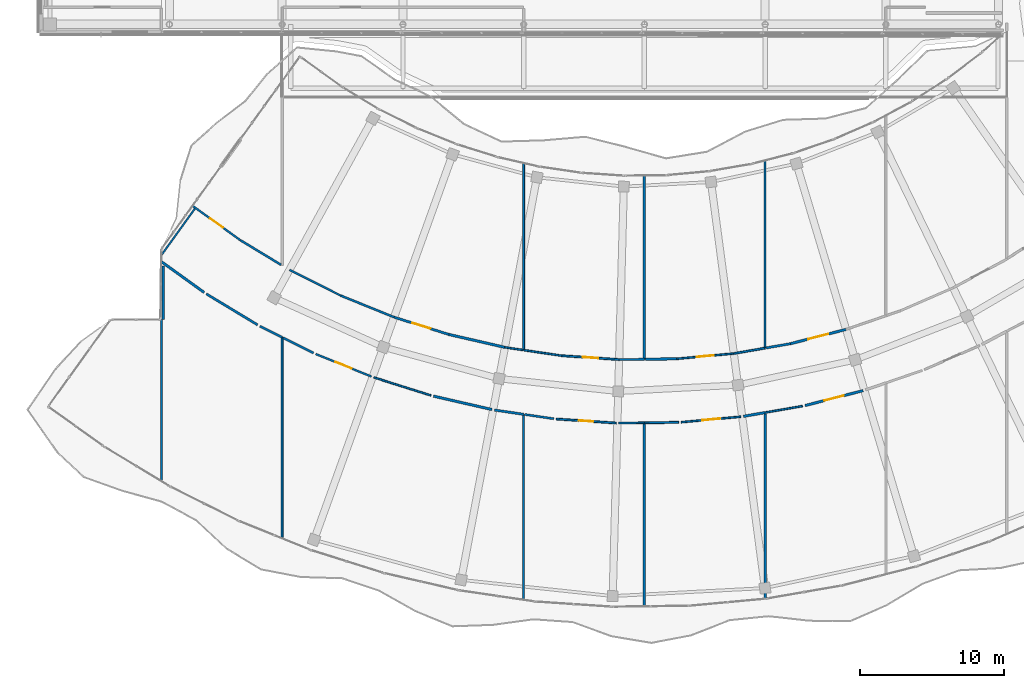
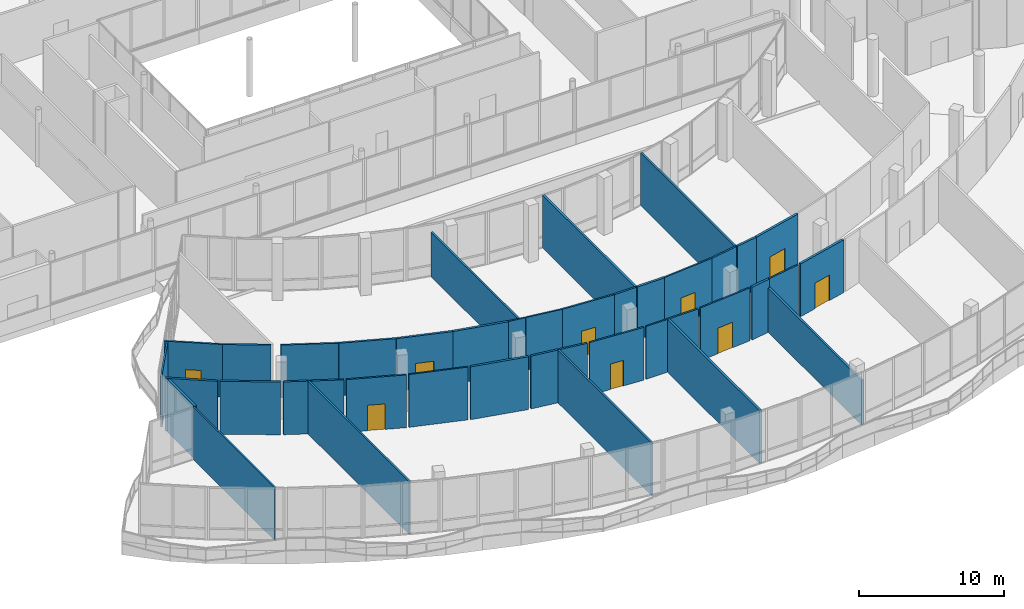
# One storey, part 138 of 168: 41 walls, 9 doors, 9 openings.
"""IFC4 building model written with IfcOpenShell, lengths in metres."""

from ifc_helpers import new_model, si_unit, direction, frame, frame_2d, origin, place, context, subcontext, project, spatial, rectangle, extrude, material, layer, layer_set, type_object, element, fill, save


model = new_model("IFC4")

# Units and contexts
model_context = context("Model", 3, precision=1e-05, world=origin(), true_north=direction((0.0, 1.0)))
body_context = subcontext(model_context, "Body", "Model", "MODEL_VIEW")
ifc_project = project(units=[si_unit("LENGTHUNIT", "METRE"), si_unit("AREAUNIT", "SQUARE_METRE"), si_unit("VOLUMEUNIT", "CUBIC_METRE"), si_unit("PLANEANGLEUNIT", "RADIAN"), si_unit("MASSUNIT", "GRAM", prefix="KILO")], contexts=[model_context])

# Site, building, storey
site_placement = place(None, origin())
site = spatial("IfcSite", under=ifc_project, at=site_placement, CompositionType="ELEMENT")
building_placement = place(site_placement, origin())
building = spatial("IfcBuilding", under=site, at=building_placement, Name="Selatvlak General Hospital", CompositionType="ELEMENT")
storey_placement = place(building_placement, frame((0.0, 0.0, 5.39990234375)))
storey = spatial("IfcBuildingStorey", under=building, at=storey_placement, Name="L01", CompositionType="ELEMENT", Elevation=5.39990234375)

# Walls
ifc_material_1 = material(Name="Acoustic gypsum stud partition")
ifc_layer_1 = layer(ifc_material_1, 0.179931640625, Name="Acoustic gypsum stud partition")
ifc_layer_set_1 = layer_set([ifc_layer_1], Name="Acoustic gypsum stud partition")
wall_type_1 = type_object("IfcWallType", Name="WALL-PT-01", PredefinedType="PARTITIONING", material=ifc_layer_set_1)
wall_1_placement = place(storey_placement, frame((22.93994140625, 32.02490234375, 0.0), z_axis=(0.0, 0.0, 1.0), x_axis=(0.0, 1.0, 0.0)))
element("IfcWall", 1, at=wall_1_placement, inside=storey, type_object=wall_type_1, Name="L01 clinical partition PT-L01-0715", PredefinedType="PARTITIONING", context=body_context, shape_type="SweptSolid", body=[
    extrude(rectangle(XDim=3.72119140625, YDim=0.179931640625, at=frame_2d((1.860595703125, 0.0))), origin(), (0.0, 0.0, 1.0), 4.445068359375),
])
wall_2_placement = place(storey_placement, frame((22.81103515625, 36.031005859375, 0.0), z_axis=(0.0, 0.0, 1.0), x_axis=(0.811746017574, -0.584010618869, 0.0)))
element("IfcWall", 2, at=wall_2_placement, inside=storey, type_object=wall_type_1, Name="L01 clinical partition PT-L01-0720", PredefinedType="PARTITIONING", context=body_context, shape_type="SweptSolid", body=[
    extrude(rectangle(XDim=3.65234375, YDim=0.179931640625, at=frame_2d((1.826171875, 0.0))), origin(), (0.0, 0.0, 1.0), 4.445068359375),
])
wall_3_placement = place(storey_placement, frame((41.72509765625, 26.68701171875, 0.0), z_axis=(0.0, 0.0, 1.0), x_axis=(0.974584054813, -0.224022141996, 0.0)))
element("IfcWall", 3, at=wall_3_placement, inside=storey, type_object=wall_type_1, Name="L01 clinical partition PT-L01-0730", PredefinedType="PARTITIONING", context=body_context, shape_type="SweptSolid", body=[
    extrude(rectangle(XDim=4.174072265625, YDim=0.179931640625, at=frame_2d((2.0869140625, 0.0))), origin(), (0.0, 0.0, 1.0), 4.445068359375),
])
wall_4_placement = place(storey_placement, frame((46.697021484375, 30.080078125, 0.0), z_axis=(0.0, 0.0, 1.0), x_axis=(-0.974613054852, 0.223895943044, 0.0)))
element("IfcWall", 4, at=wall_4_placement, inside=storey, type_object=wall_type_1, Name="L01 clinical partition PT-L01-0735", PredefinedType="PARTITIONING", context=body_context, shape_type="SweptSolid", body=[
    extrude(rectangle(XDim=3.99755859375, YDim=0.179931640625, at=frame_2d((1.998779296875, 0.0))), origin(), (0.0, 0.0, 1.0), 4.445068359375),
])
wall_5_placement = place(storey_placement, frame((56.39990234375, 24.77587890625, 0.0), z_axis=(0.0, 0.0, 1.0), x_axis=(0.0, -1.0, 0.0)))
element("IfcWall", 5, at=wall_5_placement, inside=storey, type_object=wall_type_1, Name="L01 clinical partition PT-L01-0755", PredefinedType="PARTITIONING", context=body_context, shape_type="SweptSolid", body=[
    extrude(rectangle(XDim=12.7119140625, YDim=0.179931640625, at=frame_2d((6.35595703125, 0.0))), origin(), (0.0, 0.0, 1.0), 4.445068359375),
])
wall_6_placement = place(storey_placement, frame((63.2900390625, 25.280029296875, 0.0), z_axis=(0.0, 0.0, 1.0), x_axis=(0.985282990006, 0.170931066819, 0.0)))
element("IfcWall", 6, at=wall_6_placement, inside=storey, type_object=wall_type_1, Name="L01 clinical partition PT-L01-0765", PredefinedType="PARTITIONING", context=body_context, shape_type="SweptSolid", body=[
    extrude(rectangle(XDim=1.532470703125, YDim=0.179931640625, at=frame_2d((0.76611328125, 0.0))), origin(), (0.0, 0.0, 1.0), 4.445068359375),
])
wall_7_placement = place(storey_placement, frame((58.638916015625, 29.281005859375, 0.0), z_axis=(0.0, 0.0, 1.0), x_axis=(-0.999915603192, -0.012991785602, 0.0)))
element("IfcWall", 7, at=wall_7_placement, inside=storey, type_object=wall_type_1, Name="L01 clinical partition PT-L01-0770", PredefinedType="PARTITIONING", context=body_context, shape_type="SweptSolid", body=[
    extrude(rectangle(XDim=2.1611328125, YDim=0.179931640625, at=frame_2d((1.08056640625, 0.0))), origin(), (0.0, 0.0, 1.0), 4.445068359375),
])

# Wall, opening, door
wall_8_placement = place(storey_placement, frame((67.573974609375, 26.030029296875, 0.0), z_axis=(0.0, 0.0, 1.0), x_axis=(0.968581545525, 0.248696179443, 0.0)))
wall_8 = element("IfcWall", 8, at=wall_8_placement, inside=storey, type_object=wall_type_1, Name="L01 clinical partition PT-L01-0775", PredefinedType="PARTITIONING", context=body_context, shape_type="SweptSolid", body=[
    extrude(rectangle(XDim=4.174072265625, YDim=0.179931640625, at=frame_2d((2.0869140625, 0.0))), origin(), (0.0, 0.0, 1.0), 4.445068359375),
])
opening_1_placement = place(wall_8_placement, frame((1.386962890625, 0.0, 0.0)))
opening_1 = element("IfcOpeningElement", 9, at=opening_1_placement, cuts=wall_8, Name="Opening D-11", PredefinedType="OPENING", context=body_context, shape_type="SweptSolid", body=[
    extrude(rectangle(XDim=1.39990234375, YDim=2.14990234375, at=frame_2d((0.699951171875, 1.074951171875))), frame((0.0, 0.099853515625, 0.0), z_axis=(0.0, -1.0, 0.0), x_axis=(1.0, 0.0, 0.0)), (0.0, 0.0, 1.0), 0.199951171875),
])
ifc_material_2 = material(Name="Inpatient suite bed door")
door_type_1 = type_object("IfcDoorType", Name="DOOR-D-11", OperationType="NOTDEFINED", PredefinedType="DOOR", material=ifc_material_2)
door_1_placement = place(opening_1_placement, origin())
door_1 = element("IfcDoor", 10, at=door_1_placement, inside=storey, type_object=door_type_1, Name="L01 Respiratory Function Clinic 15 door", OperationType="SINGLE_SWING_RIGHT", OverallHeight=2.14990234375, OverallWidth=1.39990234375, PredefinedType="DOOR", context=body_context, shape_type="SweptSolid", body=[
    extrude(rectangle(XDim=1.39990234375, YDim=2.14990234375, at=frame_2d((0.699951171875, 1.074951171875))), frame((0.0, 0.02490234375, 0.0), z_axis=(0.0, -1.0, 0.0), x_axis=(1.0, 0.0, 0.0)), (0.0, 0.0, 1.0), 0.050048828125),
])
fill(opening_1, door_1)

wall_9_placement = place(storey_placement, frame((70.43310546875, 31.327880859375, 0.0), z_axis=(0.0, 0.0, 1.0), x_axis=(-0.968571543656, -0.248735129846, 0.0)))
wall_9 = element("IfcWall", 11, at=wall_9_placement, inside=storey, type_object=wall_type_1, Name="L01 clinical partition PT-L01-0780", PredefinedType="PARTITIONING", context=body_context, shape_type="SweptSolid", body=[
    extrude(rectangle(XDim=3.999755859375, YDim=0.179931640625, at=frame_2d((2.0, 0.0))), origin(), (0.0, 0.0, 1.0), 4.445068359375),
])
opening_2_placement = place(wall_9_placement, frame((1.27490234375, 0.0, 0.0)))
opening_2 = element("IfcOpeningElement", 12, at=opening_2_placement, cuts=wall_9, Name="Opening D-12", PredefinedType="OPENING", context=body_context, shape_type="SweptSolid", body=[
    extrude(rectangle(XDim=1.449951171875, YDim=2.14990234375, at=frame_2d((0.72509765625, 1.074951171875))), frame((0.0, 0.099853515625, 0.0), z_axis=(0.0, -1.0, 0.0), x_axis=(1.0, 0.0, 0.0)), (0.0, 0.0, 1.0), 0.199951171875),
])
ifc_material_3 = material(Name="Isolation anteroom door")
door_type_2 = type_object("IfcDoorType", Name="DOOR-D-12", OperationType="NOTDEFINED", PredefinedType="DOOR", material=ifc_material_3)
door_2_placement = place(opening_2_placement, origin())
door_2 = element("IfcDoor", 13, at=door_2_placement, inside=storey, type_object=door_type_2, Name="L01 Orthopaedic Specialist Clinic 16 door", OperationType="SINGLE_SWING_LEFT", OverallHeight=2.14990234375, OverallWidth=1.449951171875, PredefinedType="DOOR", context=body_context, shape_type="SweptSolid", body=[
    extrude(rectangle(XDim=1.449951171875, YDim=2.14990234375, at=frame_2d((0.72509765625, 1.074951171875))), frame((0.0, 0.02490234375, 0.0), z_axis=(0.0, -1.0, 0.0), x_axis=(1.0, 0.0, 0.0)), (0.0, 0.0, 1.0), 0.050048828125),
])
fill(opening_2, door_2)

# Walls
ifc_layer_2 = layer(ifc_material_1, 0.1650390625, Name="Acoustic gypsum stud partition")
ifc_layer_set_2 = layer_set([ifc_layer_2], Name="Acoustic gypsum stud partition")
wall_type_2 = type_object("IfcWallType", Name="WALL-PT-02", PredefinedType="PARTITIONING", material=ifc_layer_set_2)
wall_10_placement = place(storey_placement, frame((25.922119140625, 33.801025390625, 0.0), z_axis=(0.0, 0.0, 1.0), x_axis=(0.855707289443, -0.517460177013, 0.0)))
element("IfcWall", 14, at=wall_10_placement, inside=storey, type_object=wall_type_2, Name="L01 clinical partition PT-L01-0721", PredefinedType="PARTITIONING", context=body_context, shape_type="SweptSolid", body=[
    extrude(rectangle(XDim=4.174072265625, YDim=0.1650390625, at=frame_2d((2.0869140625, 0.0))), origin(), (0.0, 0.0, 1.0), 4.445068359375),
])
wall_11_placement = place(storey_placement, frame((45.966064453125, 25.719970703125, 0.0), z_axis=(0.0, 0.0, 1.0), x_axis=(0.989293174374, -0.145941821067, 0.0)))
element("IfcWall", 15, at=wall_11_placement, inside=storey, type_object=wall_type_2, Name="L01 clinical partition PT-L01-0731", PredefinedType="PARTITIONING", context=body_context, shape_type="SweptSolid", body=[
    extrude(rectangle(XDim=2.055908203125, YDim=0.1650390625, at=frame_2d((1.02783203125, 0.0))), origin(), (0.0, 0.0, 1.0), 4.445068359375),
])

# Wall, opening, door
wall_12_placement = place(storey_placement, frame((42.801025390625, 30.97509765625, 0.0), z_axis=(0.0, 0.0, 1.0), x_axis=(-0.953762422986, 0.300561541951, 0.0)))
wall_12 = element("IfcWall", 16, at=wall_12_placement, inside=storey, type_object=wall_type_2, Name="L01 clinical partition PT-L01-0736", PredefinedType="PARTITIONING", context=body_context, shape_type="SweptSolid", body=[
    extrude(rectangle(XDim=3.998779296875, YDim=0.1650390625, at=frame_2d((1.99951171875, 0.0))), origin(), (0.0, 0.0, 1.0), 4.445068359375),
])
opening_3_placement = place(wall_12_placement, frame((1.34912109375, 0.0, 0.0)))
opening_3 = element("IfcOpeningElement", 17, at=opening_3_placement, cuts=wall_12, Name="Opening D-09", PredefinedType="OPENING", context=body_context, shape_type="SweptSolid", body=[
    extrude(rectangle(XDim=1.300048828125, YDim=2.14990234375, at=frame_2d((0.64990234375, 1.074951171875))), frame((0.0, 0.092529296875, 0.0), z_axis=(0.0, -1.0, 0.0), x_axis=(1.0, 0.0, 0.0)), (0.0, 0.0, 1.0), 0.18505859375),
])
ifc_material_4 = material(Name="Outpatient procedure door")
door_type_3 = type_object("IfcDoorType", Name="DOOR-D-09", OperationType="NOTDEFINED", PredefinedType="DOOR", material=ifc_material_4)
door_3_placement = place(opening_3_placement, origin())
door_3 = element("IfcDoor", 18, at=door_3_placement, inside=storey, type_object=door_type_3, Name="L01 Cardiology Outpatient Suite 05 door", OperationType="SINGLE_SWING_RIGHT", OverallHeight=2.14990234375, OverallWidth=1.300048828125, PredefinedType="DOOR", context=body_context, shape_type="SweptSolid", body=[
    extrude(rectangle(XDim=1.300048828125, YDim=2.14990234375, at=frame_2d((0.64990234375, 1.074951171875))), frame((0.0, 0.02490234375, 0.0), z_axis=(0.0, -1.0, 0.0), x_axis=(1.0, 0.0, 0.0)), (0.0, 0.0, 1.0), 0.050048828125),
])
fill(opening_3, door_3)

# Walls
wall_13_placement = place(storey_placement, frame((56.39990234375, 42.02001953125, 0.0), z_axis=(0.0, 0.0, 1.0), x_axis=(0.0, -1.0, 0.0)))
element("IfcWall", 19, at=wall_13_placement, inside=storey, type_object=wall_type_2, Name="L01 clinical partition PT-L01-0756", PredefinedType="PARTITIONING", context=body_context, shape_type="SweptSolid", body=[
    extrude(rectangle(XDim=12.76806640625, YDim=0.1650390625, at=frame_2d((6.384033203125, 0.0))), origin(), (0.0, 0.0, 1.0), 4.445068359375),
])
wall_14_placement = place(storey_placement, frame((64.800048828125, 25.455078125, 0.0), z_axis=(0.0, 0.0, 1.0), x_axis=(0.0, -1.0, 0.0)))
element("IfcWall", 20, at=wall_14_placement, inside=storey, type_object=wall_type_2, Name="L01 clinical partition PT-L01-0766", PredefinedType="PARTITIONING", context=body_context, shape_type="SweptSolid", body=[
    extrude(rectangle(XDim=12.864013671875, YDim=0.1650390625, at=frame_2d((6.43212890625, 0.0))), origin(), (0.0, 0.0, 1.0), 3.7451171875),
])
wall_15_placement = place(storey_placement, frame((66.55908203125, 30.3330078125, 0.0), z_axis=(0.0, 0.0, 1.0), x_axis=(-0.985270267568, -0.171004385462, 0.0)))
element("IfcWall", 21, at=wall_15_placement, inside=storey, type_object=wall_type_2, Name="L01 clinical partition PT-L01-0781", PredefinedType="PARTITIONING", context=body_context, shape_type="SweptSolid", body=[
    extrude(rectangle(XDim=1.713134765625, YDim=0.1650390625, at=frame_2d((0.8564453125, 0.0))), origin(), (0.0, 0.0, 1.0), 4.445068359375),
])
ifc_layer_3 = layer(ifc_material_1, 0.14990234375, Name="Acoustic gypsum stud partition")
ifc_layer_set_3 = layer_set([ifc_layer_3], Name="Acoustic gypsum stud partition")
wall_type_3 = type_object("IfcWallType", Name="WALL-PT-03", PredefinedType="PARTITIONING", material=ifc_layer_set_3)
wall_16_placement = place(storey_placement, frame((31.12109375, 35.822021484375, 0.0), z_axis=(0.0, 0.0, 1.0), x_axis=(-0.855576480655, 0.517676429588, 0.0)))
element("IfcWall", 22, at=wall_16_placement, inside=storey, type_object=wall_type_3, Name="L01 clinical partition PT-L01-0717", PredefinedType="PARTITIONING", context=body_context, shape_type="SweptSolid", body=[
    extrude(rectangle(XDim=3.31494140625, YDim=0.14990234375, at=frame_2d((1.657470703125, 0.0))), origin(), (0.0, 0.0, 1.0), 4.445068359375),
])
wall_17_placement = place(storey_placement, frame((29.64794921875, 31.555908203125, 0.0), z_axis=(0.0, 0.0, 1.0), x_axis=(0.894230168264, -0.447607424165, 0.0)))
element("IfcWall", 23, at=wall_17_placement, inside=storey, type_object=wall_type_3, Name="L01 clinical partition PT-L01-0722", PredefinedType="PARTITIONING", context=body_context, shape_type="SweptSolid", body=[
    extrude(rectangle(XDim=1.735595703125, YDim=0.14990234375, at=frame_2d((0.86767578125, 0.0))), origin(), (0.0, 0.0, 1.0), 4.445068359375),
])
wall_18_placement = place(storey_placement, frame((31.263916015625, 30.7470703125, 0.0), z_axis=(0.0, 0.0, 1.0), x_axis=(0.894076176451, -0.447914936905, 0.0)))
element("IfcWall", 24, at=wall_18_placement, inside=storey, type_object=wall_type_3, Name="L01 clinical partition PT-L01-0727", PredefinedType="PARTITIONING", context=body_context, shape_type="SweptSolid", body=[
    extrude(rectangle(XDim=2.36669921875, YDim=0.14990234375, at=frame_2d((1.183349609375, 0.0))), origin(), (0.0, 0.0, 1.0), 4.445068359375),
])
wall_19_placement = place(storey_placement, frame((48.0, 25.419921875, 0.0), z_axis=(0.0, 0.0, 1.0), x_axis=(0.0, -1.0, 0.0)))
element("IfcWall", 25, at=wall_19_placement, inside=storey, type_object=wall_type_3, Name="L01 clinical partition PT-L01-0732", PredefinedType="PARTITIONING", context=body_context, shape_type="SweptSolid", body=[
    extrude(rectangle(XDim=12.905029296875, YDim=0.14990234375, at=frame_2d((6.45263671875, 0.0))), origin(), (0.0, 0.0, 1.0), 4.445068359375),
])
wall_20_placement = place(storey_placement, frame((38.987060546875, 32.177001953125, 0.0), z_axis=(0.0, 0.0, 1.0), x_axis=(-0.926867919325, 0.375387613176, 0.0)))
element("IfcWall", 26, at=wall_20_placement, inside=storey, type_object=wall_type_3, Name="L01 clinical partition PT-L01-0737", PredefinedType="PARTITIONING", context=body_context, shape_type="SweptSolid", body=[
    extrude(rectangle(XDim=3.99853515625, YDim=0.14990234375, at=frame_2d((1.999267578125, 0.0))), origin(), (0.0, 0.0, 1.0), 4.445068359375),
])
wall_21_placement = place(storey_placement, frame((48.071044921875, 25.409912109375, 0.0), z_axis=(0.0, 0.0, 1.0), x_axis=(0.989343972267, -0.145597062264, 0.0)))
element("IfcWall", 27, at=wall_21_placement, inside=storey, type_object=wall_type_3, Name="L01 clinical partition PT-L01-0752", PredefinedType="PARTITIONING", context=body_context, shape_type="SweptSolid", body=[
    extrude(rectangle(XDim=2.045654296875, YDim=0.14990234375, at=frame_2d((1.02294921875, 0.0))), origin(), (0.0, 0.0, 1.0), 4.445068359375),
])
wall_22_placement = place(storey_placement, frame((56.39990234375, 29.251953125, 0.0), z_axis=(0.0, 0.0, 1.0), x_axis=(-0.999921884154, -0.012499023552, 0.0)))
element("IfcWall", 28, at=wall_22_placement, inside=storey, type_object=wall_type_3, Name="L01 clinical partition PT-L01-0757", PredefinedType="PARTITIONING", context=body_context, shape_type="SweptSolid", body=[
    extrude(rectangle(XDim=1.758056640625, YDim=0.14990234375, at=frame_2d((0.87890625, 0.0))), origin(), (0.0, 0.0, 1.0), 4.445068359375),
])
wall_23_placement = place(storey_placement, frame((64.800048828125, 43.06298828125, 0.0), z_axis=(0.0, 0.0, 1.0), x_axis=(0.0, -1.0, 0.0)))
element("IfcWall", 29, at=wall_23_placement, inside=storey, type_object=wall_type_3, Name="L01 clinical partition PT-L01-0767", PredefinedType="PARTITIONING", context=body_context, shape_type="SweptSolid", body=[
    extrude(rectangle(XDim=13.034912109375, YDim=0.14990234375, at=frame_2d((6.517578125, 0.0))), origin(), (0.0, 0.0, 1.0), 4.445068359375),
])

# Wall, opening, door
ifc_material_5 = material(Name="Moisture-resistant clinical partition")
ifc_layer_4 = layer(ifc_material_5, 0.135009765625, Name="Moisture-resistant clinical partition")
ifc_layer_set_4 = layer_set([ifc_layer_4], Name="Moisture-resistant clinical partition")
wall_type_4 = type_object("IfcWallType", Name="WALL-PT-04", PredefinedType="PARTITIONING", material=ifc_layer_set_4)
wall_24_placement = place(storey_placement, frame((28.284912109375, 37.5380859375, 0.0), z_axis=(0.0, 0.0, 1.0), x_axis=(-0.811886633155, 0.583815120482, 0.0)))
wall_24 = element("IfcWall", 30, at=wall_24_placement, inside=storey, type_object=wall_type_4, Name="L01 clinical partition PT-L01-0718", PredefinedType="PARTITIONING", context=body_context, shape_type="SweptSolid", body=[
    extrude(rectangle(XDim=4.072998046875, YDim=0.135009765625, at=frame_2d((2.03662109375, 0.0))), origin(), (0.0, 0.0, 1.0), 4.445068359375),
])
opening_4_placement = place(wall_24_placement, frame((1.487060546875, 0.0, 0.0)))
opening_4 = element("IfcOpeningElement", 31, at=opening_4_placement, cuts=wall_24, Name="Opening D-22", PredefinedType="OPENING", context=body_context, shape_type="SweptSolid", body=[
    extrude(rectangle(XDim=1.10009765625, YDim=2.14990234375, at=frame_2d((0.550048828125, 1.074951171875))), frame((0.0, 0.077392578125, 0.0), z_axis=(0.0, -1.0, 0.0), x_axis=(1.0, 0.0, 0.0)), (0.0, 0.0, 1.0), 0.155029296875),
])
ifc_material_6 = material(Name="Pharmacy security fire door")
door_type_4 = type_object("IfcDoorType", Name="DOOR-D-22", OperationType="NOTDEFINED", PredefinedType="DOOR", material=ifc_material_6)
door_4_placement = place(opening_4_placement, origin())
door_4 = element("IfcDoor", 32, at=door_4_placement, inside=storey, type_object=door_type_4, Name="L01 Cardiology Outpatient Suite 02 door", OperationType="SINGLE_SWING_LEFT", OverallHeight=2.14990234375, OverallWidth=1.10009765625, PredefinedType="DOOR", context=body_context, shape_type="SweptSolid", body=[
    extrude(rectangle(XDim=1.10009765625, YDim=2.14990234375, at=frame_2d((0.550048828125, 1.074951171875))), frame((0.0, 0.02490234375, 0.0), z_axis=(0.0, -1.0, 0.0), x_axis=(1.0, 0.0, 0.0)), (0.0, 0.0, 1.0), 0.050048828125),
])
fill(opening_4, door_4)

# Wall
wall_25_placement = place(storey_placement, frame((31.199951171875, 30.779052734375, 0.0), z_axis=(0.0, 0.0, 1.0), x_axis=(0.0, -1.0, 0.0)))
element("IfcWall", 33, at=wall_25_placement, inside=storey, type_object=wall_type_4, Name="L01 clinical partition PT-L01-0723", PredefinedType="PARTITIONING", context=body_context, shape_type="SweptSolid", body=[
    extrude(rectangle(XDim=13.989990234375, YDim=0.135009765625, at=frame_2d((6.9951171875, 0.0))), origin(), (0.0, 0.0, 1.0), 4.445068359375),
])

# Wall, opening, door
wall_26_placement = place(storey_placement, frame((33.5400390625, 29.614990234375, 0.0), z_axis=(0.0, 0.0, 1.0), x_axis=(0.926870756001, -0.375380609075, 0.0)))
wall_26 = element("IfcWall", 34, at=wall_26_placement, inside=storey, type_object=wall_type_4, Name="L01 clinical partition PT-L01-0728", PredefinedType="PARTITIONING", context=body_context, shape_type="SweptSolid", body=[
    extrude(rectangle(XDim=4.174072265625, YDim=0.135009765625, at=frame_2d((2.0869140625, 0.0))), origin(), (0.0, 0.0, 1.0), 4.445068359375),
])
opening_5_placement = place(wall_26_placement, frame((1.487060546875, 0.0, 0.0)))
opening_5 = element("IfcOpeningElement", 35, at=opening_5_placement, cuts=wall_26, Name="Opening D-07", PredefinedType="OPENING", context=body_context, shape_type="SweptSolid", body=[
    extrude(rectangle(XDim=1.199951171875, YDim=2.14990234375, at=frame_2d((0.60009765625, 1.074951171875))), frame((0.0, 0.077392578125, 0.0), z_axis=(0.0, -1.0, 0.0), x_axis=(1.0, 0.0, 0.0)), (0.0, 0.0, 1.0), 0.155029296875),
])
ifc_material_7 = material(Name="Plant and store fire door")
door_type_5 = type_object("IfcDoorType", Name="DOOR-D-07", OperationType="NOTDEFINED", PredefinedType="DOOR", material=ifc_material_7)
door_5_placement = place(opening_5_placement, origin())
door_5 = element("IfcDoor", 36, at=door_5_placement, inside=storey, type_object=door_type_5, Name="L01 Outpatient Specialist Waiting Concourse 04 door", OperationType="SINGLE_SWING_LEFT", OverallHeight=2.14990234375, OverallWidth=1.199951171875, PredefinedType="DOOR", context=body_context, shape_type="SweptSolid", body=[
    extrude(rectangle(XDim=1.199951171875, YDim=2.14990234375, at=frame_2d((0.60009765625, 1.074951171875))), frame((0.0, 0.02490234375, 0.0), z_axis=(0.0, -1.0, 0.0), x_axis=(1.0, 0.0, 0.0)), (0.0, 0.0, 1.0), 0.050048828125),
])
fill(opening_5, door_5)

# Walls
wall_27_placement = place(storey_placement, frame((48.0, 42.881103515625, 0.0), z_axis=(0.0, 0.0, 1.0), x_axis=(0.0, -1.0, 0.0)))
element("IfcWall", 37, at=wall_27_placement, inside=storey, type_object=wall_type_4, Name="L01 clinical partition PT-L01-0733", PredefinedType="PARTITIONING", context=body_context, shape_type="SweptSolid", body=[
    extrude(rectangle(XDim=12.9931640625, YDim=0.135009765625, at=frame_2d((6.49658203125, 0.0))), origin(), (0.0, 0.0, 1.0), 3.7451171875),
])
wall_28_placement = place(storey_placement, frame((35.281005859375, 33.677978515625, 0.0), z_axis=(0.0, 0.0, 1.0), x_axis=(-0.894072773978, 0.447921728464, 0.0)))
element("IfcWall", 38, at=wall_28_placement, inside=storey, type_object=wall_type_4, Name="L01 clinical partition PT-L01-0738", PredefinedType="PARTITIONING", context=body_context, shape_type="SweptSolid", body=[
    extrude(rectangle(XDim=3.99853515625, YDim=0.135009765625, at=frame_2d((1.999267578125, 0.0))), origin(), (0.0, 0.0, 1.0), 4.445068359375),
])

# Wall, opening, door
wall_29_placement = place(storey_placement, frame((50.26904296875, 25.093017578125, 0.0), z_axis=(0.0, 0.0, 1.0), x_axis=(0.997763106532, -0.066848958427, 0.0)))
wall_29 = element("IfcWall", 39, at=wall_29_placement, inside=storey, type_object=wall_type_4, Name="L01 clinical partition PT-L01-0753", PredefinedType="PARTITIONING", context=body_context, shape_type="SweptSolid", body=[
    extrude(rectangle(XDim=4.17431640625, YDim=0.135009765625, at=frame_2d((2.087158203125, 0.0))), origin(), (0.0, 0.0, 1.0), 4.445068359375),
])
opening_6_placement = place(wall_29_placement, frame((1.5869140625, 0.0, 0.0)))
opening_6 = element("IfcOpeningElement", 40, at=opening_6_placement, cuts=wall_29, Name="Opening D-21", PredefinedType="OPENING", context=body_context, shape_type="SweptSolid", body=[
    extrude(rectangle(XDim=1.0, YDim=2.14990234375, at=frame_2d((0.5, 1.074951171875))), frame((0.0, 0.077392578125, 0.0), z_axis=(0.0, -1.0, 0.0), x_axis=(1.0, 0.0, 0.0)), (0.0, 0.0, 1.0), 0.155029296875),
])
ifc_material_8 = material(Name="Laboratory fire door")
door_type_6 = type_object("IfcDoorType", Name="DOOR-D-21", OperationType="NOTDEFINED", PredefinedType="DOOR", material=ifc_material_8)
door_6_placement = place(opening_6_placement, origin())
door_6 = element("IfcDoor", 41, at=door_6_placement, inside=storey, type_object=door_type_6, Name="L01 Respiratory Function Clinic 09 door", OperationType="SINGLE_SWING_RIGHT", OverallHeight=2.14990234375, OverallWidth=1.0, PredefinedType="DOOR", context=body_context, shape_type="SweptSolid", body=[
    extrude(rectangle(XDim=1.0, YDim=2.14990234375, at=frame_2d((0.5, 1.074951171875))), frame((0.0, 0.02490234375, 0.0), z_axis=(0.0, -1.0, 0.0), x_axis=(1.0, 0.0, 0.0)), (0.0, 0.0, 1.0), 0.050048828125),
])
fill(opening_6, door_6)

wall_30_placement = place(storey_placement, frame((54.64208984375, 29.22998046875, 0.0), z_axis=(0.0, 0.0, 1.0), x_axis=(-0.99776702154, 0.06679049878, 0.0)))
wall_30 = element("IfcWall", 42, at=wall_30_placement, inside=storey, type_object=wall_type_4, Name="L01 clinical partition PT-L01-0758", PredefinedType="PARTITIONING", context=body_context, shape_type="SweptSolid", body=[
    extrude(rectangle(XDim=3.9990234375, YDim=0.135009765625, at=frame_2d((1.99951171875, 0.0))), origin(), (0.0, 0.0, 1.0), 4.445068359375),
])
opening_7_placement = place(wall_30_placement, frame((1.448974609375, 0.0, 0.0)))
opening_7 = element("IfcOpeningElement", 43, at=opening_7_placement, cuts=wall_30, Name="Opening D-22", PredefinedType="OPENING", context=body_context, shape_type="SweptSolid", body=[
    extrude(rectangle(XDim=1.10009765625, YDim=2.14990234375, at=frame_2d((0.550048828125, 1.074951171875))), frame((0.0, 0.077392578125, 0.0), z_axis=(0.0, -1.0, 0.0), x_axis=(1.0, 0.0, 0.0)), (0.0, 0.0, 1.0), 0.155029296875),
])
door_7_placement = place(opening_7_placement, origin())
door_7 = element("IfcDoor", 44, at=door_7_placement, inside=storey, type_object=door_type_4, Name="L01 Orthopaedic Specialist Clinic 10 door", OperationType="SINGLE_SWING_LEFT", OverallHeight=2.14990234375, OverallWidth=1.10009765625, PredefinedType="DOOR", context=body_context, shape_type="SweptSolid", body=[
    extrude(rectangle(XDim=1.10009765625, YDim=2.14990234375, at=frame_2d((0.550048828125, 1.074951171875))), frame((0.0, 0.02490234375, 0.0), z_axis=(0.0, -1.0, 0.0), x_axis=(1.0, 0.0, 0.0)), (0.0, 0.0, 1.0), 0.050048828125),
])
fill(opening_7, door_7)

# Walls
wall_31_placement = place(storey_placement, frame((56.39990234375, 24.83203125, 0.0), z_axis=(0.0, 0.0, 1.0), x_axis=(0.999920614738, 0.012600167566, 0.0)))
element("IfcWall", 45, at=wall_31_placement, inside=storey, type_object=wall_type_4, Name="L01 clinical partition PT-L01-0763", PredefinedType="PARTITIONING", context=body_context, shape_type="SweptSolid", body=[
    extrude(rectangle(XDim=2.38330078125, YDim=0.135009765625, at=frame_2d((1.191650390625, 0.0))), origin(), (0.0, 0.0, 1.0), 4.445068359375),
])
wall_32_placement = place(storey_placement, frame((64.800048828125, 30.028076171875, 0.0), z_axis=(0.0, 0.0, 1.0), x_axis=(-0.985196357546, -0.17142968552, 0.0)))
element("IfcWall", 46, at=wall_32_placement, inside=storey, type_object=wall_type_4, Name="L01 clinical partition PT-L01-0768", PredefinedType="PARTITIONING", context=body_context, shape_type="SweptSolid", body=[
    extrude(rectangle(XDim=2.211669921875, YDim=0.135009765625, at=frame_2d((1.10595703125, 0.0))), origin(), (0.0, 0.0, 1.0), 4.445068359375),
])
ifc_layer_5 = layer(ifc_material_5, 0.1201171875, Name="Moisture-resistant clinical partition")
ifc_layer_set_5 = layer_set([ifc_layer_5], Name="Moisture-resistant clinical partition")
wall_type_5 = type_object("IfcWallType", Name="WALL-PT-05", PredefinedType="PARTITIONING", material=ifc_layer_set_5)
wall_33_placement = place(storey_placement, frame((22.800048828125, 20.76904296875, 0.0), z_axis=(0.0, 0.0, 1.0), x_axis=(0.0, 1.0, 0.0)))
element("IfcWall", 47, at=wall_33_placement, inside=storey, type_object=wall_type_5, Name="L01 clinical partition PT-L01-0714", PredefinedType="PARTITIONING", context=body_context, shape_type="SweptSolid", body=[
    extrude(rectangle(XDim=11.2509765625, YDim=0.1201171875, at=frame_2d((5.62548828125, 0.0))), origin(), (0.0, 0.0, 1.0), 4.445068359375),
])
wall_34_placement = place(storey_placement, frame((25.126953125, 39.73095703125, 0.0), z_axis=(0.0, 0.0, 1.0), x_axis=(-0.584084011486, -0.811693210225, 0.0)))
element("IfcWall", 48, at=wall_34_placement, inside=storey, type_object=wall_type_5, Name="L01 clinical partition PT-L01-0719", PredefinedType="PARTITIONING", context=body_context, shape_type="SweptSolid", body=[
    extrude(rectangle(XDim=3.96337890625, YDim=0.1201171875, at=frame_2d((1.981689453125, 0.0))), origin(), (0.0, 0.0, 1.0), 4.445068359375),
])
wall_35_placement = place(storey_placement, frame((37.574951171875, 27.988037109375, 0.0), z_axis=(0.0, 0.0, 1.0), x_axis=(0.953721346285, -0.300691858288, 0.0)))
element("IfcWall", 49, at=wall_35_placement, inside=storey, type_object=wall_type_5, Name="L01 clinical partition PT-L01-0729", PredefinedType="PARTITIONING", context=body_context, shape_type="SweptSolid", body=[
    extrude(rectangle(XDim=4.174072265625, YDim=0.1201171875, at=frame_2d((2.0869140625, 0.0))), origin(), (0.0, 0.0, 1.0), 4.445068359375),
])
wall_36_placement = place(storey_placement, frame((47.93701171875, 29.89697265625, 0.0), z_axis=(0.0, 0.0, 1.0), x_axis=(-0.989272374287, 0.146082748713, 0.0)))
element("IfcWall", 50, at=wall_36_placement, inside=storey, type_object=wall_type_5, Name="L01 clinical partition PT-L01-0734", PredefinedType="PARTITIONING", context=body_context, shape_type="SweptSolid", body=[
    extrude(rectangle(XDim=1.25341796875, YDim=0.1201171875, at=frame_2d((0.626708984375, 0.0))), origin(), (0.0, 0.0, 1.0), 4.445068359375),
])
wall_37_placement = place(storey_placement, frame((54.610107421875, 24.80908203125, 0.0), z_axis=(0.0, 0.0, 1.0), x_axis=(0.999917804939, 0.012821207702, 0.0)))
element("IfcWall", 51, at=wall_37_placement, inside=storey, type_object=wall_type_5, Name="L01 clinical partition PT-L01-0754", PredefinedType="PARTITIONING", context=body_context, shape_type="SweptSolid", body=[
    extrude(rectangle(XDim=1.7900390625, YDim=0.1201171875, at=frame_2d((0.89501953125, 0.0))), origin(), (0.0, 0.0, 1.0), 4.445068359375),
])
wall_38_placement = place(storey_placement, frame((50.652099609375, 29.4970703125, 0.0), z_axis=(0.0, 0.0, 1.0), x_axis=(-0.989313203243, 0.145805987148, 0.0)))
element("IfcWall", 52, at=wall_38_placement, inside=storey, type_object=wall_type_5, Name="L01 clinical partition PT-L01-0759", PredefinedType="PARTITIONING", context=body_context, shape_type="SweptSolid", body=[
    extrude(rectangle(XDim=2.6806640625, YDim=0.1201171875, at=frame_2d((1.34033203125, 0.0))), origin(), (0.0, 0.0, 1.0), 4.445068359375),
])

# Wall, opening, door
wall_39_placement = place(storey_placement, frame((58.958984375, 24.87109375, 0.0), z_axis=(0.0, 0.0, 1.0), x_axis=(0.995736396847, 0.092244392753, 0.0)))
wall_39 = element("IfcWall", 53, at=wall_39_placement, inside=storey, type_object=wall_type_5, Name="L01 clinical partition PT-L01-0764", PredefinedType="PARTITIONING", context=body_context, shape_type="SweptSolid", body=[
    extrude(rectangle(XDim=4.173828125, YDim=0.1201171875, at=frame_2d((2.0869140625, 0.0))), origin(), (0.0, 0.0, 1.0), 4.445068359375),
])
opening_8_placement = place(wall_39_placement, frame((1.4619140625, 0.0, 0.0)))
opening_8 = element("IfcOpeningElement", 54, at=opening_8_placement, cuts=wall_39, Name="Opening D-08", PredefinedType="OPENING", context=body_context, shape_type="SweptSolid", body=[
    extrude(rectangle(XDim=1.25, YDim=2.14990234375, at=frame_2d((0.625, 1.074951171875))), frame((0.0, 0.070068359375, 0.0), z_axis=(0.0, -1.0, 0.0), x_axis=(1.0, 0.0, 0.0)), (0.0, 0.0, 1.0), 0.14013671875),
])
ifc_material_9 = material(Name="Diagnostic treatment door")
door_type_7 = type_object("IfcDoorType", Name="DOOR-D-08", OperationType="NOTDEFINED", PredefinedType="DOOR", material=ifc_material_9)
door_8_placement = place(opening_8_placement, origin())
door_8 = element("IfcDoor", 55, at=door_8_placement, inside=storey, type_object=door_type_7, Name="L01 Respiratory Function Clinic 12 door", OperationType="SINGLE_SWING_LEFT", OverallHeight=2.14990234375, OverallWidth=1.25, PredefinedType="DOOR", context=body_context, shape_type="SweptSolid", body=[
    extrude(rectangle(XDim=1.25, YDim=2.14990234375, at=frame_2d((0.625, 1.074951171875))), frame((0.0, 0.02490234375, 0.0), z_axis=(0.0, -1.0, 0.0), x_axis=(1.0, 0.0, 0.0)), (0.0, 0.0, 1.0), 0.050048828125),
])
fill(opening_8, door_8)

wall_40_placement = place(storey_placement, frame((62.62109375, 29.64892578125, 0.0), z_axis=(0.0, 0.0, 1.0), x_axis=(-0.99575902483, -0.091999806904, 0.0)))
wall_40 = element("IfcWall", 56, at=wall_40_placement, inside=storey, type_object=wall_type_5, Name="L01 clinical partition PT-L01-0769", PredefinedType="PARTITIONING", context=body_context, shape_type="SweptSolid", body=[
    extrude(rectangle(XDim=3.9990234375, YDim=0.1201171875, at=frame_2d((1.99951171875, 0.0))), origin(), (0.0, 0.0, 1.0), 4.445068359375),
])
opening_9_placement = place(wall_40_placement, frame((1.39892578125, 0.0, 0.0)))
opening_9 = element("IfcOpeningElement", 57, at=opening_9_placement, cuts=wall_40, Name="Opening D-23", PredefinedType="OPENING", context=body_context, shape_type="SweptSolid", body=[
    extrude(rectangle(XDim=1.199951171875, YDim=2.14990234375, at=frame_2d((0.60009765625, 1.074951171875))), frame((0.0, 0.070068359375, 0.0), z_axis=(0.0, -1.0, 0.0), x_axis=(1.0, 0.0, 0.0)), (0.0, 0.0, 1.0), 0.14013671875),
])
ifc_material_10 = material(Name="Endoscopy clinical door")
door_type_8 = type_object("IfcDoorType", Name="DOOR-D-23", OperationType="NOTDEFINED", PredefinedType="DOOR", material=ifc_material_10)
door_9_placement = place(opening_9_placement, origin())
door_9 = element("IfcDoor", 58, at=door_9_placement, inside=storey, type_object=door_type_8, Name="L01 Orthopaedic Specialist Clinic 13 door", OperationType="SINGLE_SWING_RIGHT", OverallHeight=2.14990234375, OverallWidth=1.199951171875, PredefinedType="DOOR", context=body_context, shape_type="SweptSolid", body=[
    extrude(rectangle(XDim=1.199951171875, YDim=2.14990234375, at=frame_2d((0.60009765625, 1.074951171875))), frame((0.0, 0.02490234375, 0.0), z_axis=(0.0, -1.0, 0.0), x_axis=(1.0, 0.0, 0.0)), (0.0, 0.0, 1.0), 0.050048828125),
])
fill(opening_9, door_9)

# Wall
wall_41_placement = place(storey_placement, frame((64.800048828125, 25.5419921875, 0.0), z_axis=(0.0, 0.0, 1.0), x_axis=(0.985251758062, 0.171110996826, 0.0)))
element("IfcWall", 59, at=wall_41_placement, inside=storey, type_object=wall_type_5, Name="L01 clinical partition PT-L01-0774", PredefinedType="PARTITIONING", context=body_context, shape_type="SweptSolid", body=[
    extrude(rectangle(XDim=2.64111328125, YDim=0.1201171875, at=frame_2d((1.320556640625, 0.0))), origin(), (0.0, 0.0, 1.0), 4.445068359375),
])

save(model, "model.ifc")
